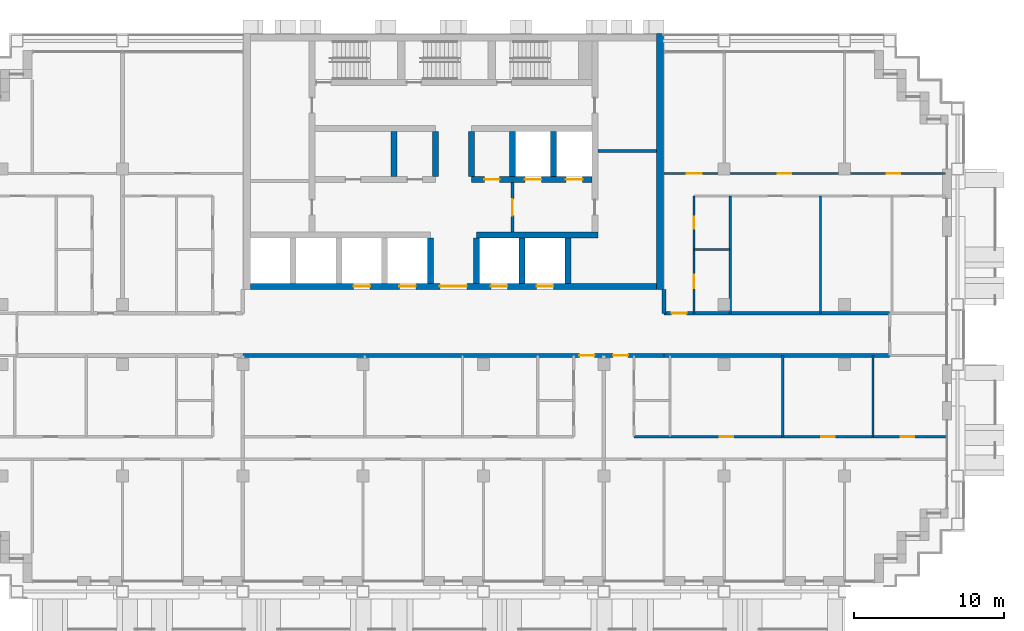
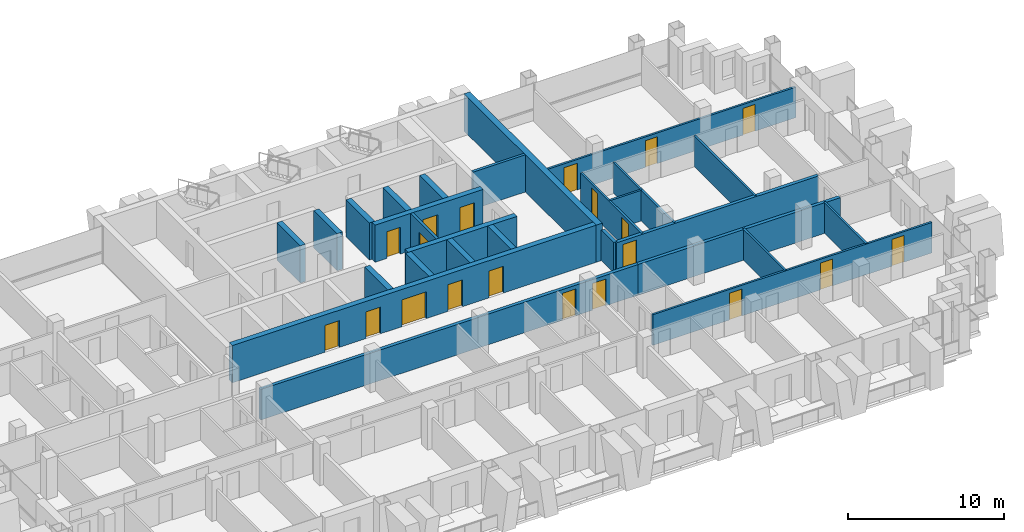
# One storey, part 10 of 17: 27 walls, 20 doors, 20 openings.
"""IFC4 building model written with IfcOpenShell, lengths in metres."""

from ifc_helpers import new_model, si_unit, direction, frame, frame_2d, origin, place, context, subcontext, project, spatial, rectangle, extrude, material, layer, layer_set, type_object, element, fill, save


model = new_model("IFC4")

# Units and contexts
model_context = context("Model", 3, precision=1e-05, world=origin(), true_north=direction((0.0, 1.0)))
body_context = subcontext(model_context, "Body", "Model", "MODEL_VIEW")
ifc_project = project(units=[si_unit("LENGTHUNIT", "METRE"), si_unit("AREAUNIT", "SQUARE_METRE"), si_unit("VOLUMEUNIT", "CUBIC_METRE"), si_unit("PLANEANGLEUNIT", "RADIAN"), si_unit("MASSUNIT", "GRAM", prefix="KILO")], contexts=[model_context])

# Site, building, storey
site_placement = place(None, origin())
site = spatial("IfcSite", under=ifc_project, at=site_placement, CompositionType="ELEMENT")
building_placement = place(site_placement, origin())
building = spatial("IfcBuilding", under=site, at=building_placement, Name="Vidyagriha Tower", CompositionType="ELEMENT")
storey_placement = place(building_placement, frame((0.0, 0.0, 139.0)))
storey = spatial("IfcBuildingStorey", under=building, at=storey_placement, Name="L36", CompositionType="ELEMENT", Elevation=139.0)

# Wall, openings, doors
ifc_material_1 = material(Name="Concrete C60/75", Category="concrete")
ifc_layer_1 = layer(ifc_material_1, 0.39990234375)
ifc_layer_set_1 = layer_set([ifc_layer_1], Name="Concrete C60/75")
wall_type_1 = type_object("IfcWallType", Name="Core shear wall 400 mm", PredefinedType="SHEAR", material=ifc_layer_set_1)
wall_1_placement = place(storey_placement, frame((-13.5, 3.199951171875, 0.0)))
wall_1 = element("IfcWall", 1, at=wall_1_placement, inside=storey, type_object=wall_type_1, Name="Core front wall", PredefinedType="SHEAR", context=body_context, shape_type="SweptSolid", body=[
    extrude(rectangle(XDim=27.0, YDim=0.39990234375, at=frame_2d((13.5, 0.0))), origin(), (0.0, 0.0, 1.0), 2.919921875),
])
opening_1_placement = place(wall_1_placement, frame((6.861083984375, 0.0, 0.0)))
opening_1 = element("IfcOpeningElement", 2, at=opening_1_placement, cuts=wall_1, Name="Opening LD36-01", PredefinedType="OPENING", context=body_context, shape_type="SweptSolid", body=[
    extrude(rectangle(XDim=1.10009765625, YDim=2.10009765625, at=frame_2d((0.550048828125, 1.050048828125))), frame((0.0, 0.2099609375, 0.0), z_axis=(0.0, -1.0, 0.0), x_axis=(1.0, 0.0, 0.0)), (0.0, 0.0, 1.0), 0.419921875),
])
opening_2_placement = place(wall_1_placement, frame((9.905517578125, 0.0, 0.0)))
opening_2 = element("IfcOpeningElement", 3, at=opening_2_placement, cuts=wall_1, Name="Opening LD36-02", PredefinedType="OPENING", context=body_context, shape_type="SweptSolid", body=[
    extrude(rectangle(XDim=1.10009765625, YDim=2.10009765625, at=frame_2d((0.550048828125, 1.050048828125))), frame((0.0, 0.2099609375, 0.0), z_axis=(0.0, -1.0, 0.0), x_axis=(1.0, 0.0, 0.0)), (0.0, 0.0, 1.0), 0.419921875),
])
opening_3_placement = place(wall_1_placement, frame((15.994384765625, 0.0, 0.0)))
opening_3 = element("IfcOpeningElement", 4, at=opening_3_placement, cuts=wall_1, Name="Opening LD36-03", PredefinedType="OPENING", context=body_context, shape_type="SweptSolid", body=[
    extrude(rectangle(XDim=1.10009765625, YDim=2.10009765625, at=frame_2d((0.550048828125, 1.050048828125))), frame((0.0, 0.2099609375, 0.0), z_axis=(0.0, -1.0, 0.0), x_axis=(1.0, 0.0, 0.0)), (0.0, 0.0, 1.0), 0.419921875),
])
opening_4_placement = place(wall_1_placement, frame((19.038818359375, 0.0, 0.0)))
opening_4 = element("IfcOpeningElement", 5, at=opening_4_placement, cuts=wall_1, Name="Opening LD36-04", PredefinedType="OPENING", context=body_context, shape_type="SweptSolid", body=[
    extrude(rectangle(XDim=1.10009765625, YDim=2.10009765625, at=frame_2d((0.550048828125, 1.050048828125))), frame((0.0, 0.2099609375, 0.0), z_axis=(0.0, -1.0, 0.0), x_axis=(1.0, 0.0, 0.0)), (0.0, 0.0, 1.0), 0.419921875),
])
opening_5_placement = place(wall_1_placement, frame((12.60009765625, 0.0, 0.0)))
opening_5 = element("IfcOpeningElement", 6, at=opening_5_placement, cuts=wall_1, Name="Opening D36-01", PredefinedType="OPENING", context=body_context, shape_type="SweptSolid", body=[
    extrude(rectangle(XDim=1.800048828125, YDim=2.10009765625, at=frame_2d((0.89990234375, 1.050048828125))), frame((0.0, 0.2099609375, 0.0), z_axis=(0.0, -1.0, 0.0), x_axis=(1.0, 0.0, 0.0)), (0.0, 0.0, 1.0), 0.419921875),
])
ifc_material_2 = material(Name="Hollow metal door leaf")
door_type_1 = type_object("IfcDoorType", Name="Core lobby double door 1800 x 2100 mm EI 60", OperationType="NOTDEFINED", PredefinedType="DOOR", material=ifc_material_2)
door_1_placement = place(opening_5_placement, frame((1.800048828125, 0.0, 0.0), z_axis=(0.0, 0.0, 1.0), x_axis=(-1.0, 0.0, 0.0)))
door_1 = element("IfcDoor", 7, at=door_1_placement, inside=storey, type_object=door_type_1, Name="Core entrance door L36", OperationType="DOUBLE_DOOR_SINGLE_SWING", OverallHeight=2.10009765625, OverallWidth=1.800048828125, PredefinedType="DOOR", context=body_context, shape_type="SweptSolid", body=[
    extrude(rectangle(XDim=1.800048828125, YDim=2.10009765625, at=frame_2d((0.89990234375, 1.050048828125))), frame((0.0, 0.02490234375, 0.0), z_axis=(0.0, -1.0, 0.0), x_axis=(1.0, 0.0, 0.0)), (0.0, 0.0, 1.0), 0.050048828125),
])
fill(opening_5, door_1)
ifc_material_3 = material(Name="Stainless steel sliding door panel", Category="steel")
door_type_2 = type_object("IfcDoorType", Name="Lift landing door 1100 x 2100 mm EI 90", OperationType="NOTDEFINED", PredefinedType="DOOR", material=ifc_material_3)
door_2_placement = place(opening_1_placement, origin())
door_2 = element("IfcDoor", 8, at=door_2_placement, inside=storey, type_object=door_type_2, Name="Landing door LR1 L36", OperationType="SLIDING_TO_LEFT", OverallHeight=2.10009765625, OverallWidth=1.10009765625, PredefinedType="DOOR", context=body_context, shape_type="SweptSolid", body=[
    extrude(rectangle(XDim=1.10009765625, YDim=2.10009765625, at=frame_2d((0.550048828125, 1.050048828125))), frame((0.0, 0.02490234375, 0.0), z_axis=(0.0, -1.0, 0.0), x_axis=(1.0, 0.0, 0.0)), (0.0, 0.0, 1.0), 0.050048828125),
])
fill(opening_1, door_2)
door_3_placement = place(opening_2_placement, origin())
door_3 = element("IfcDoor", 9, at=door_3_placement, inside=storey, type_object=door_type_2, Name="Landing door LR2 L36", OperationType="SLIDING_TO_LEFT", OverallHeight=2.10009765625, OverallWidth=1.10009765625, PredefinedType="DOOR", context=body_context, shape_type="SweptSolid", body=[
    extrude(rectangle(XDim=1.10009765625, YDim=2.10009765625, at=frame_2d((0.550048828125, 1.050048828125))), frame((0.0, 0.02490234375, 0.0), z_axis=(0.0, -1.0, 0.0), x_axis=(1.0, 0.0, 0.0)), (0.0, 0.0, 1.0), 0.050048828125),
])
fill(opening_2, door_3)
door_4_placement = place(opening_3_placement, origin())
door_4 = element("IfcDoor", 10, at=door_4_placement, inside=storey, type_object=door_type_2, Name="Landing door LR3 L36", OperationType="SLIDING_TO_LEFT", OverallHeight=2.10009765625, OverallWidth=1.10009765625, PredefinedType="DOOR", context=body_context, shape_type="SweptSolid", body=[
    extrude(rectangle(XDim=1.10009765625, YDim=2.10009765625, at=frame_2d((0.550048828125, 1.050048828125))), frame((0.0, 0.02490234375, 0.0), z_axis=(0.0, -1.0, 0.0), x_axis=(1.0, 0.0, 0.0)), (0.0, 0.0, 1.0), 0.050048828125),
])
fill(opening_3, door_4)
door_5_placement = place(opening_4_placement, origin())
door_5 = element("IfcDoor", 11, at=door_5_placement, inside=storey, type_object=door_type_2, Name="Landing door LR4 L36", OperationType="SLIDING_TO_LEFT", OverallHeight=2.10009765625, OverallWidth=1.10009765625, PredefinedType="DOOR", context=body_context, shape_type="SweptSolid", body=[
    extrude(rectangle(XDim=1.10009765625, YDim=2.10009765625, at=frame_2d((0.550048828125, 1.050048828125))), frame((0.0, 0.02490234375, 0.0), z_axis=(0.0, -1.0, 0.0), x_axis=(1.0, 0.0, 0.0)), (0.0, 0.0, 1.0), 0.050048828125),
])
fill(opening_4, door_5)

# Walls
wall_2_placement = place(storey_placement, frame((1.522216796875, 6.60009765625, 0.0)))
element("IfcWall", 12, at=wall_2_placement, inside=storey, type_object=wall_type_1, Name="Core lobby south wall east", PredefinedType="SHEAR", context=body_context, shape_type="SweptSolid", body=[
    extrude(rectangle(XDim=8.077880859375, YDim=0.39990234375, at=frame_2d((4.0390625, 0.0))), origin(), (0.0, 0.0, 1.0), 2.919921875),
])
for number, where, z_axis, x_axis, name in (
    (13, (-1.522216796875, 3.39990234375, 0.0), (0.0, 0.0, 1.0), (0.0, 1.0, 0.0), "Core bay wall S4"),
    (14, (1.522216796875, 3.39990234375, 0.0), (0.0, 0.0, 1.0), (0.0, 1.0, 0.0), "Core bay wall S5"),
    (15, (4.566650390625, 3.39990234375, 0.0), (0.0, 0.0, 1.0), (0.0, 1.0, 0.0), "Core bay wall S6"),
    (16, (7.611083984375, 3.39990234375, 0.0), (0.0, 0.0, 1.0), (0.0, 1.0, 0.0), "Core bay wall S7"),
):
    element("IfcWall", number, at=place(storey_placement, frame(where, z_axis=z_axis, x_axis=x_axis)), inside=storey, type_object=wall_type_1, Name=name, PredefinedType="SHEAR", context=body_context, shape_type="SweptSolid", body=[
        extrude(rectangle(XDim=3.0, YDim=0.39990234375, at=frame_2d((1.5, 0.0))), origin(), (0.0, 0.0, 1.0), 2.919921875),
    ])

# Wall, openings, doors
wall_3_placement = place(storey_placement, frame((1.199951171875, 10.300048828125, 0.0)))
wall_3 = element("IfcWall", 17, at=wall_3_placement, inside=storey, type_object=wall_type_1, Name="Core row N front wall", PredefinedType="SHEAR", context=body_context, shape_type="SweptSolid", body=[
    extrude(rectangle(XDim=8.0, YDim=0.39990234375, at=frame_2d((4.0, 0.0))), origin(), (0.0, 0.0, 1.0), 2.919921875),
])
opening_6_placement = place(wall_3_placement, frame((3.550048828125, 0.0, 0.0)))
opening_6 = element("IfcOpeningElement", 18, at=opening_6_placement, cuts=wall_3, Name="Opening LD36-05", PredefinedType="OPENING", context=body_context, shape_type="SweptSolid", body=[
    extrude(rectangle(XDim=1.10009765625, YDim=2.10009765625, at=frame_2d((0.550048828125, 1.050048828125))), frame((0.0, 0.2099609375, 0.0), z_axis=(0.0, -1.0, 0.0), x_axis=(1.0, 0.0, 0.0)), (0.0, 0.0, 1.0), 0.419921875),
])
opening_7_placement = place(wall_3_placement, frame((6.283203125, 0.0, 0.0)))
opening_7 = element("IfcOpeningElement", 19, at=opening_7_placement, cuts=wall_3, Name="Opening LD36-06", PredefinedType="OPENING", context=body_context, shape_type="SweptSolid", body=[
    extrude(rectangle(XDim=1.10009765625, YDim=2.10009765625, at=frame_2d((0.550048828125, 1.050048828125))), frame((0.0, 0.2099609375, 0.0), z_axis=(0.0, -1.0, 0.0), x_axis=(1.0, 0.0, 0.0)), (0.0, 0.0, 1.0), 0.419921875),
])
opening_8_placement = place(wall_3_placement, frame((0.86669921875, 0.0, 0.0)))
opening_8 = element("IfcOpeningElement", 20, at=opening_8_placement, cuts=wall_3, Name="Opening D36-04", PredefinedType="OPENING", context=body_context, shape_type="SweptSolid", body=[
    extrude(rectangle(XDim=1.0, YDim=2.10009765625, at=frame_2d((0.5, 1.050048828125))), frame((0.0, 0.2099609375, 0.0), z_axis=(0.0, -1.0, 0.0), x_axis=(1.0, 0.0, 0.0)), (0.0, 0.0, 1.0), 0.419921875),
])
ifc_material_4 = material(Name="Hollow metal door leaf")
door_type_3 = type_object("IfcDoorType", Name="Core room door 1000 x 2100 mm EI 60", OperationType="NOTDEFINED", PredefinedType="DOOR", material=ifc_material_4)
door_6_placement = place(opening_8_placement, frame((1.0, 0.0, 0.0), z_axis=(0.0, 0.0, 1.0), x_axis=(-1.0, 0.0, 0.0)))
door_6 = element("IfcDoor", 21, at=door_6_placement, inside=storey, type_object=door_type_3, Name="Door Refuse Room 36.16", OperationType="SINGLE_SWING_LEFT", OverallHeight=2.10009765625, OverallWidth=1.0, PredefinedType="DOOR", context=body_context, shape_type="SweptSolid", body=[
    extrude(rectangle(XDim=1.0, YDim=2.10009765625, at=frame_2d((0.5, 1.050048828125))), frame((0.0, 0.02490234375, 0.0), z_axis=(0.0, -1.0, 0.0), x_axis=(1.0, 0.0, 0.0)), (0.0, 0.0, 1.0), 0.050048828125),
])
fill(opening_8, door_6)
door_7_placement = place(opening_6_placement, origin())
door_7 = element("IfcDoor", 22, at=door_7_placement, inside=storey, type_object=door_type_2, Name="Landing door FF1 L36", OperationType="SLIDING_TO_LEFT", OverallHeight=2.10009765625, OverallWidth=1.10009765625, PredefinedType="DOOR", context=body_context, shape_type="SweptSolid", body=[
    extrude(rectangle(XDim=1.10009765625, YDim=2.10009765625, at=frame_2d((0.550048828125, 1.050048828125))), frame((0.0, 0.02490234375, 0.0), z_axis=(0.0, -1.0, 0.0), x_axis=(1.0, 0.0, 0.0)), (0.0, 0.0, 1.0), 0.050048828125),
])
fill(opening_6, door_7)
door_8_placement = place(opening_7_placement, origin())
door_8 = element("IfcDoor", 23, at=door_8_placement, inside=storey, type_object=door_type_2, Name="Landing door FF2 L36", OperationType="SLIDING_TO_LEFT", OverallHeight=2.10009765625, OverallWidth=1.10009765625, PredefinedType="DOOR", context=body_context, shape_type="SweptSolid", body=[
    extrude(rectangle(XDim=1.10009765625, YDim=2.10009765625, at=frame_2d((0.550048828125, 1.050048828125))), frame((0.0, 0.02490234375, 0.0), z_axis=(0.0, -1.0, 0.0), x_axis=(1.0, 0.0, 0.0)), (0.0, 0.0, 1.0), 0.050048828125),
])
fill(opening_7, door_8)

# Walls
for number, where, z_axis, x_axis, name in (
    (24, (-3.933349609375, 10.5, 0.0), (0.0, 0.0, 1.0), (0.0, 1.0, 0.0), "Core bay wall N2"),
    (25, (-1.199951171875, 10.5, 0.0), (0.0, 0.0, 1.0), (0.0, 1.0, 0.0), "Core bay wall N3"),
    (26, (1.199951171875, 10.5, 0.0), (0.0, 0.0, 1.0), (0.0, 1.0, 0.0), "Core bay wall N4"),
    (27, (3.933349609375, 10.5, 0.0), (0.0, 0.0, 1.0), (0.0, 1.0, 0.0), "Core bay wall N5"),
    (28, (6.666748046875, 10.5, 0.0), (0.0, 0.0, 1.0), (0.0, 1.0, 0.0), "Core bay wall N6"),
):
    element("IfcWall", number, at=place(storey_placement, frame(where, z_axis=z_axis, x_axis=x_axis)), inside=storey, type_object=wall_type_1, Name=name, PredefinedType="SHEAR", context=body_context, shape_type="SweptSolid", body=[
        extrude(rectangle(XDim=3.0, YDim=0.39990234375, at=frame_2d((1.5, 0.0))), origin(), (0.0, 0.0, 1.0), 2.919921875),
    ])
ifc_material_5 = material(Name="Concrete C60/75", Category="concrete")
ifc_layer_2 = layer(ifc_material_5, 0.449951171875)
ifc_layer_set_2 = layer_set([ifc_layer_2], Name="Concrete C60/75")
wall_type_2 = type_object("IfcWallType", Name="Core shear wall 450 mm", PredefinedType="SHEAR", material=ifc_layer_set_2)
wall_4_placement = place(storey_placement, frame((13.72509765625, 3.0, 0.0), z_axis=(0.0, 0.0, 1.0), x_axis=(0.0, 1.0, 0.0)))
element("IfcWall", 29, at=wall_4_placement, inside=storey, type_object=wall_type_2, Name="Core east wall", PredefinedType="SHEAR", context=body_context, shape_type="SweptSolid", body=[
    extrude(rectangle(XDim=17.0, YDim=0.449951171875, at=frame_2d((8.5, 0.0))), origin(), (0.0, 0.0, 1.0), 2.919921875),
])
ifc_material_6 = material(Name="Fired clay brick masonry", Category="masonry")
ifc_layer_3 = layer(ifc_material_6, 0.25)
ifc_layer_set_3 = layer_set([ifc_layer_3], Name="Fired clay brick masonry")
wall_type_3 = type_object("IfcWallType", Name="Fired clay brick corridor wall 250", PredefinedType="PARTITIONING", material=ifc_layer_set_3)
wall_5_placement = place(storey_placement, frame((29.0, -1.39990234375, 0.0), z_axis=(0.0, 0.0, 1.0), x_axis=(-1.0, 0.0, 0.0)))
element("IfcWall", 30, at=wall_5_placement, inside=storey, type_object=wall_type_3, Name="Wall all-L36-w069", PredefinedType="PARTITIONING", context=body_context, shape_type="SweptSolid", body=[
    extrude(rectangle(XDim=15.0, YDim=0.25, at=frame_2d((7.5, 0.0))), origin(), (0.0, 0.0, 1.0), 2.39990234375),
])

# Wall, opening, door
wall_6_placement = place(storey_placement, frame((14.0, 1.39990234375, 0.0)))
wall_6 = element("IfcWall", 31, at=wall_6_placement, inside=storey, type_object=wall_type_3, Name="Wall all-L36-w114", PredefinedType="PARTITIONING", context=body_context, shape_type="SweptSolid", body=[
    extrude(rectangle(XDim=15.0, YDim=0.25, at=frame_2d((7.5, 0.0))), origin(), (0.0, 0.0, 1.0), 2.39990234375),
])
opening_9_placement = place(wall_6_placement, frame((0.5, 0.0, 0.0)))
opening_9 = element("IfcOpeningElement", 32, at=opening_9_placement, cuts=wall_6, Name="Opening D36-64", PredefinedType="OPENING", context=body_context, shape_type="SweptSolid", body=[
    extrude(rectangle(XDim=1.0, YDim=2.10009765625, at=frame_2d((0.5, 1.050048828125))), frame((0.0, 0.135009765625, 0.0), z_axis=(0.0, -1.0, 0.0), x_axis=(1.0, 0.0, 0.0)), (0.0, 0.0, 1.0), 0.27001953125),
])
ifc_material_7 = material(Name="Fire-rated timber door leaf EI 60", Category="wood")
door_type_4 = type_object("IfcDoorType", Name="Flat entrance fire door 1000x2100", OperationType="NOTDEFINED", PredefinedType="DOOR", material=ifc_material_7)
door_9_placement = place(opening_9_placement, origin())
door_9 = element("IfcDoor", 33, at=door_9_placement, inside=storey, type_object=door_type_4, Name="Door D36-64", OperationType="SINGLE_SWING_LEFT", OverallHeight=2.10009765625, OverallWidth=1.0, PredefinedType="DOOR", context=body_context, shape_type="SweptSolid", body=[
    extrude(rectangle(XDim=1.0, YDim=2.10009765625, at=frame_2d((0.5, 1.050048828125))), frame((0.0, 0.02490234375, 0.0), z_axis=(0.0, -1.0, 0.0), x_axis=(1.0, 0.0, 0.0)), (0.0, 0.0, 1.0), 0.050048828125),
])
fill(opening_9, door_9)

# Wall, openings, doors
wall_7_placement = place(storey_placement, frame((14.0, -1.39990234375, 0.0), z_axis=(0.0, 0.0, 1.0), x_axis=(-1.0, 0.0, 0.0)))
wall_7 = element("IfcWall", 34, at=wall_7_placement, inside=storey, type_object=wall_type_3, Name="Wall all-L36-w120", PredefinedType="PARTITIONING", context=body_context, shape_type="SweptSolid", body=[
    extrude(rectangle(XDim=28.0, YDim=0.25, at=frame_2d((14.0, 0.0))), origin(), (0.0, 0.0, 1.0), 2.39990234375),
])
opening_10_placement = place(wall_7_placement, frame((4.617919921875, 0.0, 0.0)))
opening_10 = element("IfcOpeningElement", 35, at=opening_10_placement, cuts=wall_7, Name="Opening D36-33", PredefinedType="OPENING", context=body_context, shape_type="SweptSolid", body=[
    extrude(rectangle(XDim=1.0, YDim=2.10009765625, at=frame_2d((0.5, 1.050048828125))), frame((0.0, 0.135009765625, 0.0), z_axis=(0.0, -1.0, 0.0), x_axis=(1.0, 0.0, 0.0)), (0.0, 0.0, 1.0), 0.27001953125),
])
opening_11_placement = place(wall_7_placement, frame((2.382080078125, 0.0, 0.0)))
opening_11 = element("IfcOpeningElement", 36, at=opening_11_placement, cuts=wall_7, Name="Opening D36-44", PredefinedType="OPENING", context=body_context, shape_type="SweptSolid", body=[
    extrude(rectangle(XDim=1.0, YDim=2.10009765625, at=frame_2d((0.5, 1.050048828125))), frame((0.0, 0.135009765625, 0.0), z_axis=(0.0, -1.0, 0.0), x_axis=(1.0, 0.0, 0.0)), (0.0, 0.0, 1.0), 0.27001953125),
])
door_10_placement = place(opening_10_placement, origin())
door_10 = element("IfcDoor", 37, at=door_10_placement, inside=storey, type_object=door_type_4, Name="Door D36-33", OperationType="SINGLE_SWING_LEFT", OverallHeight=2.10009765625, OverallWidth=1.0, PredefinedType="DOOR", context=body_context, shape_type="SweptSolid", body=[
    extrude(rectangle(XDim=1.0, YDim=2.10009765625, at=frame_2d((0.5, 1.050048828125))), frame((0.0, 0.02490234375, 0.0), z_axis=(0.0, -1.0, 0.0), x_axis=(1.0, 0.0, 0.0)), (0.0, 0.0, 1.0), 0.050048828125),
])
fill(opening_10, door_10)
door_11_placement = place(opening_11_placement, origin())
door_11 = element("IfcDoor", 38, at=door_11_placement, inside=storey, type_object=door_type_4, Name="Door D36-44", OperationType="SINGLE_SWING_RIGHT", OverallHeight=2.10009765625, OverallWidth=1.0, PredefinedType="DOOR", context=body_context, shape_type="SweptSolid", body=[
    extrude(rectangle(XDim=1.0, YDim=2.10009765625, at=frame_2d((0.5, 1.050048828125))), frame((0.0, 0.02490234375, 0.0), z_axis=(0.0, -1.0, 0.0), x_axis=(1.0, 0.0, 0.0)), (0.0, 0.0, 1.0), 0.050048828125),
])
fill(opening_11, door_11)

# Walls
wall_8_placement = place(storey_placement, frame((14.0, 1.39990234375, 0.0), z_axis=(0.0, 0.0, 1.0), x_axis=(0.0, 1.0, 0.0)))
element("IfcWall", 39, at=wall_8_placement, inside=storey, type_object=wall_type_3, Name="Wall all-L36-w122", PredefinedType="PARTITIONING", context=body_context, shape_type="SweptSolid", body=[
    extrude(rectangle(XDim=1.60009765625, YDim=0.25, at=frame_2d((0.800048828125, 0.0))), origin(), (0.0, 0.0, 1.0), 2.39990234375),
])
ifc_material_8 = material(Name="Gypsum board partition")
ifc_layer_4 = layer(ifc_material_8, 0.14990234375)
ifc_layer_set_4 = layer_set([ifc_layer_4], Name="Gypsum board partition")
wall_type_4 = type_object("IfcWallType", Name="Gypsum board partition 150", PredefinedType="PARTITIONING", material=ifc_layer_set_4)
for number, where, z_axis, x_axis, name in (
    (40, (21.89990234375, -1.39990234375, 0.0), (0.0, 0.0, 1.0), (0.0, -1.0, 0.0), "Wall all-L36-w049"),
    (41, (27.89990234375, -1.39990234375, 0.0), (0.0, 0.0, 1.0), (0.0, -1.0, 0.0), "Wall all-L36-w050"),
):
    element("IfcWall", number, at=place(storey_placement, frame(where, z_axis=z_axis, x_axis=x_axis)), inside=storey, type_object=wall_type_4, Name=name, PredefinedType="PARTITIONING", context=body_context, shape_type="SweptSolid", body=[
        extrude(rectangle(XDim=5.400146484375, YDim=0.14990234375, at=frame_2d((2.7001953125, 0.0))), origin(), (0.0, 0.0, 1.0), 2.39990234375),
    ])

# Wall, openings, doors
wall_9_placement = place(storey_placement, frame((12.0, -6.800048828125, 0.0)))
wall_9 = element("IfcWall", 42, at=wall_9_placement, inside=storey, type_object=wall_type_4, Name="Wall all-L36-w051", PredefinedType="PARTITIONING", context=body_context, shape_type="SweptSolid", body=[
    extrude(rectangle(XDim=20.719970703125, YDim=0.14990234375, at=frame_2d((10.35986328125, 0.0))), origin(), (0.0, 0.0, 1.0), 2.39990234375),
])
opening_12_placement = place(wall_9_placement, frame((5.699951171875, 0.0, 0.0)))
opening_12 = element("IfcOpeningElement", 43, at=opening_12_placement, cuts=wall_9, Name="Opening D36-36", PredefinedType="OPENING", context=body_context, shape_type="SweptSolid", body=[
    extrude(rectangle(XDim=0.89990234375, YDim=2.10009765625, at=frame_2d((0.449951171875, 1.050048828125))), frame((0.0, 0.0849609375, 0.0), z_axis=(0.0, -1.0, 0.0), x_axis=(1.0, 0.0, 0.0)), (0.0, 0.0, 1.0), 0.169921875),
])
opening_13_placement = place(wall_9_placement, frame((12.449951171875, 0.0, 0.0)))
opening_13 = element("IfcOpeningElement", 44, at=opening_13_placement, cuts=wall_9, Name="Opening D36-37", PredefinedType="OPENING", context=body_context, shape_type="SweptSolid", body=[
    extrude(rectangle(XDim=0.89990234375, YDim=2.10009765625, at=frame_2d((0.449951171875, 1.050048828125))), frame((0.0, 0.0849609375, 0.0), z_axis=(0.0, -1.0, 0.0), x_axis=(1.0, 0.0, 0.0)), (0.0, 0.0, 1.0), 0.169921875),
])
opening_14_placement = place(wall_9_placement, frame((17.75, 0.0, 0.0)))
opening_14 = element("IfcOpeningElement", 45, at=opening_14_placement, cuts=wall_9, Name="Opening D36-38", PredefinedType="OPENING", context=body_context, shape_type="SweptSolid", body=[
    extrude(rectangle(XDim=0.89990234375, YDim=2.10009765625, at=frame_2d((0.449951171875, 1.050048828125))), frame((0.0, 0.0849609375, 0.0), z_axis=(0.0, -1.0, 0.0), x_axis=(1.0, 0.0, 0.0)), (0.0, 0.0, 1.0), 0.169921875),
])
ifc_material_9 = material(Name="Timber door leaf", Category="wood")
door_type_5 = type_object("IfcDoorType", Name="Room door 900x2100", OperationType="NOTDEFINED", PredefinedType="DOOR", material=ifc_material_9)
door_12_placement = place(opening_12_placement, origin())
door_12 = element("IfcDoor", 46, at=door_12_placement, inside=storey, type_object=door_type_5, Name="Door D36-36", OperationType="SINGLE_SWING_LEFT", OverallHeight=2.10009765625, OverallWidth=0.89990234375, PredefinedType="DOOR", context=body_context, shape_type="SweptSolid", body=[
    extrude(rectangle(XDim=0.89990234375, YDim=2.10009765625, at=frame_2d((0.449951171875, 1.050048828125))), frame((0.0, 0.02490234375, 0.0), z_axis=(0.0, -1.0, 0.0), x_axis=(1.0, 0.0, 0.0)), (0.0, 0.0, 1.0), 0.050048828125),
])
fill(opening_12, door_12)
door_13_placement = place(opening_13_placement, origin())
door_13 = element("IfcDoor", 47, at=door_13_placement, inside=storey, type_object=door_type_5, Name="Door D36-37", OperationType="SINGLE_SWING_RIGHT", OverallHeight=2.10009765625, OverallWidth=0.89990234375, PredefinedType="DOOR", context=body_context, shape_type="SweptSolid", body=[
    extrude(rectangle(XDim=0.89990234375, YDim=2.10009765625, at=frame_2d((0.449951171875, 1.050048828125))), frame((0.0, 0.02490234375, 0.0), z_axis=(0.0, -1.0, 0.0), x_axis=(1.0, 0.0, 0.0)), (0.0, 0.0, 1.0), 0.050048828125),
])
fill(opening_13, door_13)
door_14_placement = place(opening_14_placement, origin())
door_14 = element("IfcDoor", 48, at=door_14_placement, inside=storey, type_object=door_type_5, Name="Door D36-38", OperationType="SINGLE_SWING_RIGHT", OverallHeight=2.10009765625, OverallWidth=0.89990234375, PredefinedType="DOOR", context=body_context, shape_type="SweptSolid", body=[
    extrude(rectangle(XDim=0.89990234375, YDim=2.10009765625, at=frame_2d((0.449951171875, 1.050048828125))), frame((0.0, 0.02490234375, 0.0), z_axis=(0.0, -1.0, 0.0), x_axis=(1.0, 0.0, 0.0)), (0.0, 0.0, 1.0), 0.050048828125),
])
fill(opening_14, door_14)

# Walls
wall_10_placement = place(storey_placement, frame((16.0, 5.64990234375, 0.0)))
element("IfcWall", 49, at=wall_10_placement, inside=storey, type_object=wall_type_4, Name="Wall all-L36-w099", PredefinedType="PARTITIONING", context=body_context, shape_type="SweptSolid", body=[
    extrude(rectangle(XDim=2.39990234375, YDim=0.14990234375, at=frame_2d((1.199951171875, 0.0))), origin(), (0.0, 0.0, 1.0), 2.39990234375),
])
for number, where, z_axis, x_axis, name in (
    (50, (18.39990234375, 9.199951171875, 0.0), (0.0, 0.0, 1.0), (0.0, -1.0, 0.0), "Wall all-L36-w100"),
    (51, (24.39990234375, 9.199951171875, 0.0), (0.0, 0.0, 1.0), (0.0, -1.0, 0.0), "Wall all-L36-w101"),
):
    element("IfcWall", number, at=place(storey_placement, frame(where, z_axis=z_axis, x_axis=x_axis)), inside=storey, type_object=wall_type_4, Name=name, PredefinedType="PARTITIONING", context=body_context, shape_type="SweptSolid", body=[
        extrude(rectangle(XDim=7.800048828125, YDim=0.14990234375, at=frame_2d((3.89990234375, 0.0))), origin(), (0.0, 0.0, 1.0), 2.39990234375),
    ])

# Wall, openings, doors
wall_11_placement = place(storey_placement, frame((14.0, 10.699951171875, 0.0)))
wall_11 = element("IfcWall", 52, at=wall_11_placement, inside=storey, type_object=wall_type_4, Name="Wall all-L36-w107", PredefinedType="PARTITIONING", context=body_context, shape_type="SweptSolid", body=[
    extrude(rectangle(XDim=18.7099609375, YDim=0.14990234375, at=frame_2d((9.35498046875, 0.0))), origin(), (0.0, 0.0, 1.0), 2.39990234375),
])
opening_15_placement = place(wall_11_placement, frame((1.5, 0.0, 0.0)))
opening_15 = element("IfcOpeningElement", 53, at=opening_15_placement, cuts=wall_11, Name="Opening D36-61", PredefinedType="OPENING", context=body_context, shape_type="SweptSolid", body=[
    extrude(rectangle(XDim=1.0, YDim=2.10009765625, at=frame_2d((0.5, 1.050048828125))), frame((0.0, 0.0849609375, 0.0), z_axis=(0.0, -1.0, 0.0), x_axis=(1.0, 0.0, 0.0)), (0.0, 0.0, 1.0), 0.169921875),
])
opening_16_placement = place(wall_11_placement, frame((7.550048828125, 0.0, 0.0)))
opening_16 = element("IfcOpeningElement", 54, at=opening_16_placement, cuts=wall_11, Name="Opening D36-62", PredefinedType="OPENING", context=body_context, shape_type="SweptSolid", body=[
    extrude(rectangle(XDim=0.89990234375, YDim=2.10009765625, at=frame_2d((0.449951171875, 1.050048828125))), frame((0.0, 0.0849609375, 0.0), z_axis=(0.0, -1.0, 0.0), x_axis=(1.0, 0.0, 0.0)), (0.0, 0.0, 1.0), 0.169921875),
])
opening_17_placement = place(wall_11_placement, frame((14.800048828125, 0.0, 0.0)))
opening_17 = element("IfcOpeningElement", 55, at=opening_17_placement, cuts=wall_11, Name="Opening D36-63", PredefinedType="OPENING", context=body_context, shape_type="SweptSolid", body=[
    extrude(rectangle(XDim=0.89990234375, YDim=2.10009765625, at=frame_2d((0.449951171875, 1.050048828125))), frame((0.0, 0.0849609375, 0.0), z_axis=(0.0, -1.0, 0.0), x_axis=(1.0, 0.0, 0.0)), (0.0, 0.0, 1.0), 0.169921875),
])
ifc_material_10 = material(Name="Timber door leaf", Category="wood")
door_type_6 = type_object("IfcDoorType", Name="Room door 1000x2100", OperationType="NOTDEFINED", PredefinedType="DOOR", material=ifc_material_10)
door_15_placement = place(opening_15_placement, origin())
door_15 = element("IfcDoor", 56, at=door_15_placement, inside=storey, type_object=door_type_6, Name="Door D36-61", OperationType="SINGLE_SWING_RIGHT", OverallHeight=2.10009765625, OverallWidth=1.0, PredefinedType="DOOR", context=body_context, shape_type="SweptSolid", body=[
    extrude(rectangle(XDim=1.0, YDim=2.10009765625, at=frame_2d((0.5, 1.050048828125))), frame((0.0, 0.02490234375, 0.0), z_axis=(0.0, -1.0, 0.0), x_axis=(1.0, 0.0, 0.0)), (0.0, 0.0, 1.0), 0.050048828125),
])
fill(opening_15, door_15)
door_16_placement = place(opening_16_placement, origin())
door_16 = element("IfcDoor", 57, at=door_16_placement, inside=storey, type_object=door_type_5, Name="Door D36-62", OperationType="SINGLE_SWING_RIGHT", OverallHeight=2.10009765625, OverallWidth=0.89990234375, PredefinedType="DOOR", context=body_context, shape_type="SweptSolid", body=[
    extrude(rectangle(XDim=0.89990234375, YDim=2.10009765625, at=frame_2d((0.449951171875, 1.050048828125))), frame((0.0, 0.02490234375, 0.0), z_axis=(0.0, -1.0, 0.0), x_axis=(1.0, 0.0, 0.0)), (0.0, 0.0, 1.0), 0.050048828125),
])
fill(opening_16, door_16)
door_17_placement = place(opening_17_placement, origin())
door_17 = element("IfcDoor", 58, at=door_17_placement, inside=storey, type_object=door_type_5, Name="Door D36-63", OperationType="SINGLE_SWING_RIGHT", OverallHeight=2.10009765625, OverallWidth=0.89990234375, PredefinedType="DOOR", context=body_context, shape_type="SweptSolid", body=[
    extrude(rectangle(XDim=0.89990234375, YDim=2.10009765625, at=frame_2d((0.449951171875, 1.050048828125))), frame((0.0, 0.02490234375, 0.0), z_axis=(0.0, -1.0, 0.0), x_axis=(1.0, 0.0, 0.0)), (0.0, 0.0, 1.0), 0.050048828125),
])
fill(opening_17, door_17)

ifc_material_11 = material(Name="Moisture resistant gypsum board partition")
ifc_layer_5 = layer(ifc_material_11, 0.14990234375)
ifc_layer_set_5 = layer_set([ifc_layer_5], Name="Moisture resistant gypsum board partition")
wall_type_5 = type_object("IfcWallType", Name="Gypsum board wet-area partition 150", PredefinedType="PARTITIONING", material=ifc_layer_set_5)
wall_12_placement = place(storey_placement, frame((16.0, 9.199951171875, 0.0), z_axis=(0.0, 0.0, 1.0), x_axis=(0.0, -1.0, 0.0)))
wall_12 = element("IfcWall", 59, at=wall_12_placement, inside=storey, type_object=wall_type_5, Name="Wall all-L36-w096", PredefinedType="PARTITIONING", context=body_context, shape_type="SweptSolid", body=[
    extrude(rectangle(XDim=7.800048828125, YDim=0.14990234375, at=frame_2d((3.89990234375, 0.0))), origin(), (0.0, 0.0, 1.0), 2.39990234375),
])
opening_18_placement = place(wall_12_placement, frame((5.22509765625, 0.0, 0.0)))
opening_18 = element("IfcOpeningElement", 60, at=opening_18_placement, cuts=wall_12, Name="Opening D36-56", PredefinedType="OPENING", context=body_context, shape_type="SweptSolid", body=[
    extrude(rectangle(XDim=0.89990234375, YDim=2.10009765625, at=frame_2d((0.449951171875, 1.050048828125))), frame((0.0, 0.0849609375, 0.0), z_axis=(0.0, -1.0, 0.0), x_axis=(1.0, 0.0, 0.0)), (0.0, 0.0, 1.0), 0.169921875),
])
opening_19_placement = place(wall_12_placement, frame((1.375, 0.0, 0.0)))
opening_19 = element("IfcOpeningElement", 61, at=opening_19_placement, cuts=wall_12, Name="Opening D36-57", PredefinedType="OPENING", context=body_context, shape_type="SweptSolid", body=[
    extrude(rectangle(XDim=0.800048828125, YDim=2.10009765625, at=frame_2d((0.39990234375, 1.050048828125))), frame((0.0, 0.0849609375, 0.0), z_axis=(0.0, -1.0, 0.0), x_axis=(1.0, 0.0, 0.0)), (0.0, 0.0, 1.0), 0.169921875),
])
ifc_material_12 = material(Name="Timber door leaf", Category="wood")
door_type_7 = type_object("IfcDoorType", Name="Bathroom door 800x2100", OperationType="NOTDEFINED", PredefinedType="DOOR", material=ifc_material_12)
door_18_placement = place(opening_19_placement, origin())
door_18 = element("IfcDoor", 62, at=door_18_placement, inside=storey, type_object=door_type_7, Name="Door D36-57", OperationType="SINGLE_SWING_RIGHT", OverallHeight=2.10009765625, OverallWidth=0.800048828125, PredefinedType="DOOR", context=body_context, shape_type="SweptSolid", body=[
    extrude(rectangle(XDim=0.800048828125, YDim=2.10009765625, at=frame_2d((0.39990234375, 1.050048828125))), frame((0.0, 0.02490234375, 0.0), z_axis=(0.0, -1.0, 0.0), x_axis=(1.0, 0.0, 0.0)), (0.0, 0.0, 1.0), 0.050048828125),
])
fill(opening_19, door_18)
ifc_material_13 = material(Name="Timber door leaf", Category="wood")
door_type_8 = type_object("IfcDoorType", Name="Kitchen door 900x2100", OperationType="NOTDEFINED", PredefinedType="DOOR", material=ifc_material_13)
door_19_placement = place(opening_18_placement, origin())
door_19 = element("IfcDoor", 63, at=door_19_placement, inside=storey, type_object=door_type_8, Name="Door D36-56", OperationType="SINGLE_SWING_LEFT", OverallHeight=2.10009765625, OverallWidth=0.89990234375, PredefinedType="DOOR", context=body_context, shape_type="SweptSolid", body=[
    extrude(rectangle(XDim=0.89990234375, YDim=2.10009765625, at=frame_2d((0.449951171875, 1.050048828125))), frame((0.0, 0.02490234375, 0.0), z_axis=(0.0, -1.0, 0.0), x_axis=(1.0, 0.0, 0.0)), (0.0, 0.0, 1.0), 0.050048828125),
])
fill(opening_18, door_19)

# Wall, opening, door
ifc_material_14 = material(Name="Blockwork 15 MPa", Category="masonry")
ifc_layer_6 = layer(ifc_material_14, 0.199951171875)
ifc_layer_set_6 = layer_set([ifc_layer_6], Name="Blockwork 15 MPa")
wall_type_6 = type_object("IfcWallType", Name="Service room partition 200 mm", PredefinedType="PARTITIONING", material=ifc_layer_set_6)
wall_13_placement = place(storey_placement, frame((3.933349609375, 6.800048828125, 0.0), z_axis=(0.0, 0.0, 1.0), x_axis=(0.0, 1.0, 0.0)))
wall_13 = element("IfcWall", 64, at=wall_13_placement, inside=storey, type_object=wall_type_6, Name="Fire-fighting lobby west wall", PredefinedType="PARTITIONING", context=body_context, shape_type="SweptSolid", body=[
    extrude(rectangle(XDim=3.300048828125, YDim=0.199951171875, at=frame_2d((1.64990234375, 0.0))), origin(), (0.0, 0.0, 1.0), 2.919921875),
])
opening_20_placement = place(wall_13_placement, frame((1.10009765625, 0.0, 0.0)))
opening_20 = element("IfcOpeningElement", 65, at=opening_20_placement, cuts=wall_13, Name="Opening D36-05", PredefinedType="OPENING", context=body_context, shape_type="SweptSolid", body=[
    extrude(rectangle(XDim=1.10009765625, YDim=2.10009765625, at=frame_2d((0.550048828125, 1.050048828125))), frame((0.0, 0.10986328125, 0.0), z_axis=(0.0, -1.0, 0.0), x_axis=(1.0, 0.0, 0.0)), (0.0, 0.0, 1.0), 0.219970703125),
])
ifc_material_15 = material(Name="Hollow metal door leaf")
door_type_9 = type_object("IfcDoorType", Name="Fire-fighting lobby door 1100 x 2100 mm EI 90", OperationType="NOTDEFINED", PredefinedType="DOOR", material=ifc_material_15)
door_20_placement = place(opening_20_placement, origin())
door_20 = element("IfcDoor", 66, at=door_20_placement, inside=storey, type_object=door_type_9, Name="Fire-fighting lobby door L36", OperationType="SINGLE_SWING_RIGHT", OverallHeight=2.10009765625, OverallWidth=1.10009765625, PredefinedType="DOOR", context=body_context, shape_type="SweptSolid", body=[
    extrude(rectangle(XDim=1.10009765625, YDim=2.10009765625, at=frame_2d((0.550048828125, 1.050048828125))), frame((0.0, 0.02490234375, 0.0), z_axis=(0.0, -1.0, 0.0), x_axis=(1.0, 0.0, 0.0)), (0.0, 0.0, 1.0), 0.050048828125),
])
fill(opening_20, door_20)

# Wall
wall_14_placement = place(storey_placement, frame((9.60009765625, 12.199951171875, 0.0)))
element("IfcWall", 67, at=wall_14_placement, inside=storey, type_object=wall_type_6, Name="Core room partition E1", PredefinedType="PARTITIONING", context=body_context, shape_type="SweptSolid", body=[
    extrude(rectangle(XDim=3.89990234375, YDim=0.199951171875, at=frame_2d((1.949951171875, 0.0))), origin(), (0.0, 0.0, 1.0), 2.919921875),
])

save(model, "model.ifc")
